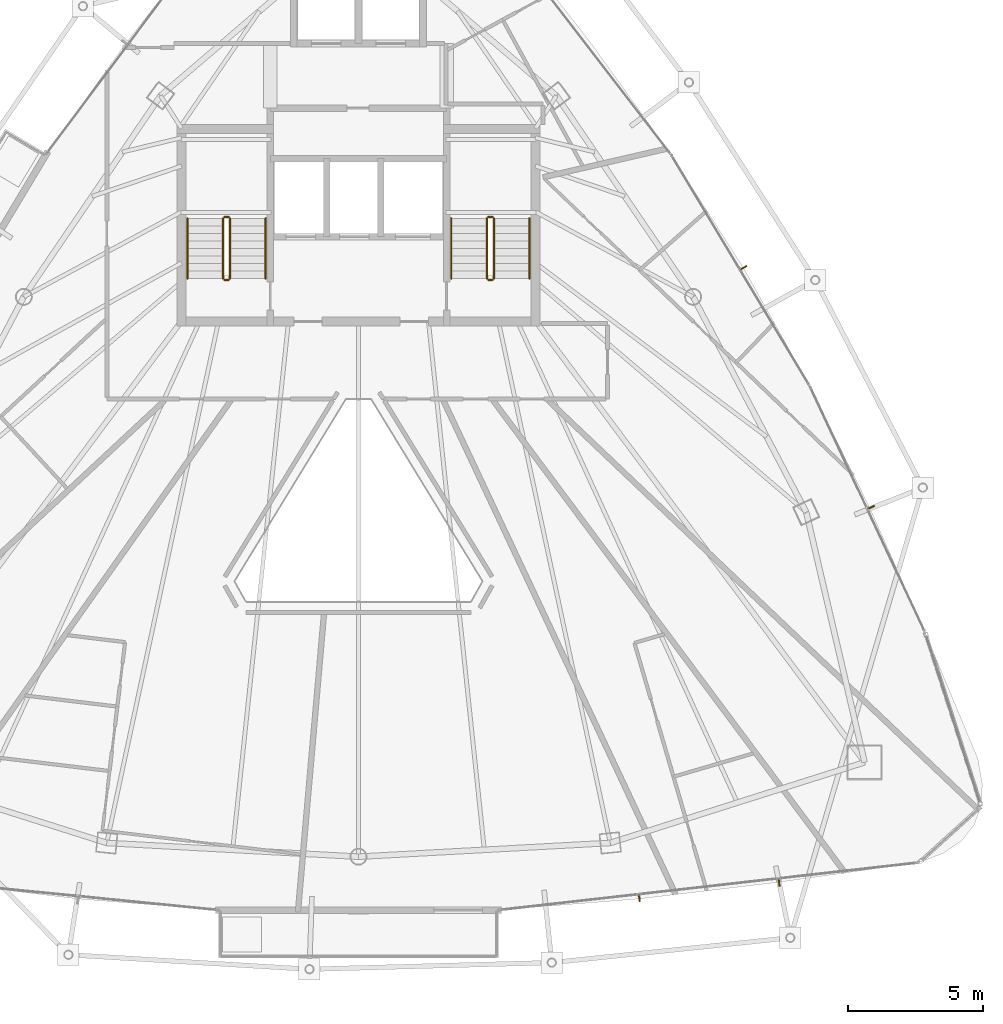
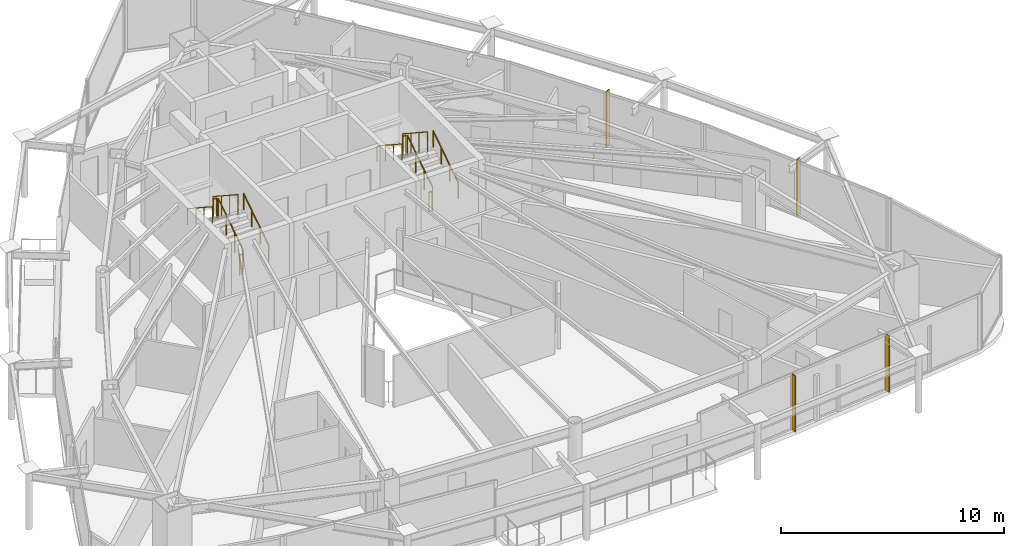
# One storey, part 31 of 32: 12 railings, 4 shading devices.
"""IFC4 building model written with IfcOpenShell, lengths in metres."""

from ifc_helpers import new_model, si_unit, direction, frame, origin, origin_2d, place, context, subcontext, project, spatial, rectangle, circle, extrude, material, layer, layer_set, type_object, element, save


model = new_model("IFC4")

# Units and contexts
model_context = context("Model", 3, precision=1e-05, world=origin(), true_north=direction((0.0, 1.0)))
body_context = subcontext(model_context, "Body", "Model", "MODEL_VIEW")
ifc_project = project(units=[si_unit("LENGTHUNIT", "METRE"), si_unit("AREAUNIT", "SQUARE_METRE"), si_unit("VOLUMEUNIT", "CUBIC_METRE"), si_unit("PLANEANGLEUNIT", "RADIAN"), si_unit("MASSUNIT", "GRAM", prefix="KILO")], contexts=[model_context])

# Site, building, storey
site_placement = place(None, origin())
site = spatial("IfcSite", under=ifc_project, at=site_placement, CompositionType="ELEMENT")
building_placement = place(site_placement, origin())
building = spatial("IfcBuilding", under=site, at=building_placement, Name="Orvanel Arch Residences", CompositionType="ELEMENT")
storey_placement = place(building_placement, frame((0.0, 0.0, 222.800048828125)))
storey = spatial("IfcBuildingStorey", under=building, at=storey_placement, Name="L63", CompositionType="ELEMENT", Elevation=222.800048828125)

# Shading devices
ifc_material_1 = material(Name="Bronze-anodised aluminium AA6063-T6", Category="aluminium")
ifc_layer = layer(ifc_material_1, 0.050048828125)
ifc_layer_set = layer_set([ifc_layer], Name="Bronze-anodised aluminium AA6063-T6")
shading_device_type = type_object("IfcShadingDeviceType", Name="FIN-BRZ-260", PredefinedType="USERDEFINED", material=ifc_layer_set)
for number, where, z_axis, x_axis, name in (
    (1, (43.43505859375, 5.2939453125, 0.0), (0.0, 0.0, 1.0), (0.111468932206, -0.993767919161, 0.0), "L63 Anodised Bronze Mullion FIN 01"),
    (2, (48.626953125, 5.881103515625, 0.0), (0.0, 0.0, 1.0), (0.111468932206, -0.993767919161, 0.0), "L63 Anodised Bronze Mullion FIN 02"),
    (3, (52.048095703125, 19.822021484375, 0.0), (0.0, 0.0, 1.0), (0.905568799011, 0.424199422745, 0.0), "L63 Anodised Bronze Mullion FIN 01"),
    (4, (47.31103515625, 28.72509765625, 0.0), (0.0, 0.0, 1.0), (0.857167300702, 0.51503807491, 0.0), "L63 Anodised Bronze Mullion FIN 01"),
):
    element("IfcShadingDevice", number, at=place(storey_placement, frame(where, z_axis=z_axis, x_axis=x_axis)), inside=storey, type_object=shading_device_type, Name=name, ObjectType="FIN", PredefinedType="USERDEFINED", context=body_context, shape_type="SweptSolid", body=[
        extrude(rectangle(XDim=0.260009765625, YDim=0.050048828125, at=origin_2d()), origin(), (0.0, 0.0, 1.0), 3.06005859375),
    ])

# Railings
ifc_material_2 = material(Name="Structural steel AS/NZS 1163 C350L0 (Grade 350)", Category="steel")
railing_type_1 = type_object("IfcRailingType", Name="RL-STAIR-GUARD", PredefinedType="GUARDRAIL", material=ifc_material_2)
railing_1_placement = place(storey_placement, frame((28.22998046875, 28.320068359375, 0.183349609375)))
element("IfcRailing", 5, at=railing_1_placement, inside=storey, type_object=railing_type_1, Name="L63 ST-1 stair guard 1", PredefinedType="GUARDRAIL", context=body_context, shape_type="SweptSolid", body=[
    extrude(circle(Radius=0.02392578125, at=origin_2d()), frame((0.0, 0.001220703125, 1.076904296875), z_axis=(0.0, 0.836636935527, 0.547757827979), x_axis=(-1.0, 0.0, 0.0)), (0.0, 0.0, 1.0), 2.67431640625),
    extrude(circle(Radius=0.02099609375, at=origin_2d()), origin(), (0.0, 0.0, 1.0), 1.050048828125),
    extrude(circle(Radius=0.02099609375, at=origin_2d()), frame((0.0, 0.74658203125, 0.48876953125)), (0.0, 0.0, 1.0), 1.050048828125),
    extrude(circle(Radius=0.02099609375, at=origin_2d()), frame((0.0, 1.493408203125, 0.977783203125)), (0.0, 0.0, 1.0), 1.050048828125),
    extrude(circle(Radius=0.02099609375, at=origin_2d()), frame((0.0, 2.239990234375, 1.466552734375)), (0.0, 0.0, 1.0), 1.050048828125),
])
railing_2_placement = place(storey_placement, frame((28.179931640625, 30.610107421875, 1.64990234375)))
element("IfcRailing", 6, at=railing_2_placement, inside=storey, type_object=railing_type_1, Name="L63 ST-1 stair guard 2", PredefinedType="GUARDRAIL", context=body_context, shape_type="SweptSolid", body=[
    extrude(circle(Radius=0.02392578125, at=origin_2d()), frame((-0.00146484375, 0.0, 1.076171875), z_axis=(-1.0, 0.0, 0.0), x_axis=(0.0, -1.0, 0.0)), (0.0, 0.0, 1.0), 0.156982421875),
    extrude(circle(Radius=0.02099609375, at=origin_2d()), origin(), (0.0, 0.0, 1.0), 1.050048828125),
    extrude(circle(Radius=0.02099609375, at=origin_2d()), frame((-0.159912109375, 0.0, 0.0)), (0.0, 0.0, 1.0), 1.050048828125),
])
railing_3_placement = place(storey_placement, frame((27.969970703125, 30.56005859375, 1.833251953125)))
element("IfcRailing", 7, at=railing_3_placement, inside=storey, type_object=railing_type_1, Name="L63 ST-1 stair guard 3", PredefinedType="GUARDRAIL", context=body_context, shape_type="SweptSolid", body=[
    extrude(circle(Radius=0.02392578125, at=origin_2d()), frame((0.0, -0.001220703125, 1.076904296875), z_axis=(0.0, -0.836595146698, 0.547821650285), x_axis=(1.0, 0.0, 0.0)), (0.0, 0.0, 1.0), 2.674560546875),
    extrude(circle(Radius=0.02099609375, at=origin_2d()), origin(), (0.0, 0.0, 1.0), 1.050048828125),
    extrude(circle(Radius=0.02099609375, at=origin_2d()), frame((0.0, -0.74658203125, 0.489013671875)), (0.0, 0.0, 1.0), 1.050048828125),
    extrude(circle(Radius=0.02099609375, at=origin_2d()), frame((0.0, -1.493408203125, 0.977783203125)), (0.0, 0.0, 1.0), 1.050048828125),
    extrude(circle(Radius=0.02099609375, at=origin_2d()), frame((0.0, -2.239990234375, 1.466796875)), (0.0, 0.0, 1.0), 1.050048828125),
])
railing_4_placement = place(storey_placement, frame((28.179931640625, 28.27001953125, 0.0)))
element("IfcRailing", 8, at=railing_4_placement, inside=storey, type_object=railing_type_1, Name="L63 ST-1 stair guard 4", PredefinedType="GUARDRAIL", context=body_context, shape_type="SweptSolid", body=[
    extrude(circle(Radius=0.02392578125, at=origin_2d()), frame((-0.00146484375, 0.0, 1.076171875), z_axis=(-1.0, 0.0, 0.0), x_axis=(0.0, -1.0, 0.0)), (0.0, 0.0, 1.0), 0.156982421875),
    extrude(circle(Radius=0.02099609375, at=origin_2d()), origin(), (0.0, 0.0, 1.0), 1.050048828125),
    extrude(circle(Radius=0.02099609375, at=origin_2d()), frame((-0.159912109375, 0.0, 0.0)), (0.0, 0.0, 1.0), 1.050048828125),
])
railing_5_placement = place(storey_placement, frame((38.030029296875, 28.320068359375, 0.183349609375)))
element("IfcRailing", 9, at=railing_5_placement, inside=storey, type_object=railing_type_1, Name="L63 ST-2 stair guard 1", PredefinedType="GUARDRAIL", context=body_context, shape_type="SweptSolid", body=[
    extrude(circle(Radius=0.02392578125, at=origin_2d()), frame((0.0, 0.001220703125, 1.076904296875), z_axis=(0.0, 0.836636935527, 0.547757827979), x_axis=(-1.0, 0.0, 0.0)), (0.0, 0.0, 1.0), 2.67431640625),
    extrude(circle(Radius=0.02099609375, at=origin_2d()), origin(), (0.0, 0.0, 1.0), 1.050048828125),
    extrude(circle(Radius=0.02099609375, at=origin_2d()), frame((0.0, 0.74658203125, 0.48876953125)), (0.0, 0.0, 1.0), 1.050048828125),
    extrude(circle(Radius=0.02099609375, at=origin_2d()), frame((0.0, 1.493408203125, 0.977783203125)), (0.0, 0.0, 1.0), 1.050048828125),
    extrude(circle(Radius=0.02099609375, at=origin_2d()), frame((0.0, 2.239990234375, 1.466552734375)), (0.0, 0.0, 1.0), 1.050048828125),
])
railing_6_placement = place(storey_placement, frame((37.97998046875, 30.610107421875, 1.64990234375)))
element("IfcRailing", 10, at=railing_6_placement, inside=storey, type_object=railing_type_1, Name="L63 ST-2 stair guard 2", PredefinedType="GUARDRAIL", context=body_context, shape_type="SweptSolid", body=[
    extrude(circle(Radius=0.02392578125, at=origin_2d()), frame((-0.00146484375, 0.0, 1.076171875), z_axis=(-1.0, 0.0, 0.0), x_axis=(0.0, -1.0, 0.0)), (0.0, 0.0, 1.0), 0.156982421875),
    extrude(circle(Radius=0.02099609375, at=origin_2d()), origin(), (0.0, 0.0, 1.0), 1.050048828125),
    extrude(circle(Radius=0.02099609375, at=origin_2d()), frame((-0.159912109375, 0.0, 0.0)), (0.0, 0.0, 1.0), 1.050048828125),
])
railing_7_placement = place(storey_placement, frame((37.77001953125, 30.56005859375, 1.833251953125)))
element("IfcRailing", 11, at=railing_7_placement, inside=storey, type_object=railing_type_1, Name="L63 ST-2 stair guard 3", PredefinedType="GUARDRAIL", context=body_context, shape_type="SweptSolid", body=[
    extrude(circle(Radius=0.02392578125, at=origin_2d()), frame((0.0, -0.001220703125, 1.076904296875), z_axis=(0.0, -0.836595146698, 0.547821650285), x_axis=(1.0, 0.0, 0.0)), (0.0, 0.0, 1.0), 2.674560546875),
    extrude(circle(Radius=0.02099609375, at=origin_2d()), origin(), (0.0, 0.0, 1.0), 1.050048828125),
    extrude(circle(Radius=0.02099609375, at=origin_2d()), frame((0.0, -0.74658203125, 0.489013671875)), (0.0, 0.0, 1.0), 1.050048828125),
    extrude(circle(Radius=0.02099609375, at=origin_2d()), frame((0.0, -1.493408203125, 0.977783203125)), (0.0, 0.0, 1.0), 1.050048828125),
    extrude(circle(Radius=0.02099609375, at=origin_2d()), frame((0.0, -2.239990234375, 1.466796875)), (0.0, 0.0, 1.0), 1.050048828125),
])
railing_8_placement = place(storey_placement, frame((37.97998046875, 28.27001953125, 0.0)))
element("IfcRailing", 12, at=railing_8_placement, inside=storey, type_object=railing_type_1, Name="L63 ST-2 stair guard 4", PredefinedType="GUARDRAIL", context=body_context, shape_type="SweptSolid", body=[
    extrude(circle(Radius=0.02392578125, at=origin_2d()), frame((-0.00146484375, 0.0, 1.076171875), z_axis=(-1.0, 0.0, 0.0), x_axis=(0.0, -1.0, 0.0)), (0.0, 0.0, 1.0), 0.156982421875),
    extrude(circle(Radius=0.02099609375, at=origin_2d()), origin(), (0.0, 0.0, 1.0), 1.050048828125),
    extrude(circle(Radius=0.02099609375, at=origin_2d()), frame((-0.159912109375, 0.0, 0.0)), (0.0, 0.0, 1.0), 1.050048828125),
])
railing_type_2 = type_object("IfcRailingType", Name="RL-STAIR-HAND", PredefinedType="HANDRAIL", material=ifc_material_2)
railing_9_placement = place(storey_placement, frame((29.550048828125, 28.320068359375, 0.183349609375)))
element("IfcRailing", 13, at=railing_9_placement, inside=storey, type_object=railing_type_2, Name="L63 ST-1 stair handrail 1", PredefinedType="HANDRAIL", context=body_context, shape_type="SweptSolid", body=[
    extrude(circle(Radius=0.02392578125, at=origin_2d()), frame((0.0, 0.001220703125, 0.876708984375), z_axis=(0.0, 0.836636935527, 0.547757827979), x_axis=(-1.0, 0.0, 0.0)), (0.0, 0.0, 1.0), 2.67431640625),
    extrude(circle(Radius=0.02099609375, at=origin_2d()), origin(), (0.0, 0.0, 1.0), 0.849853515625),
    extrude(circle(Radius=0.02099609375, at=origin_2d()), frame((0.0, 0.74658203125, 0.48876953125)), (0.0, 0.0, 1.0), 0.849853515625),
    extrude(circle(Radius=0.02099609375, at=origin_2d()), frame((0.0, 1.493408203125, 0.977783203125)), (0.0, 0.0, 1.0), 0.849853515625),
    extrude(circle(Radius=0.02099609375, at=origin_2d()), frame((0.0, 2.239990234375, 1.466552734375)), (0.0, 0.0, 1.0), 0.849853515625),
])
railing_10_placement = place(storey_placement, frame((26.64990234375, 30.56005859375, 1.833251953125)))
element("IfcRailing", 14, at=railing_10_placement, inside=storey, type_object=railing_type_2, Name="L63 ST-1 stair handrail 2", PredefinedType="HANDRAIL", context=body_context, shape_type="SweptSolid", body=[
    extrude(circle(Radius=0.02392578125, at=origin_2d()), frame((0.0, -0.001220703125, 0.876708984375), z_axis=(0.0, -0.836595146698, 0.547821650285), x_axis=(1.0, 0.0, 0.0)), (0.0, 0.0, 1.0), 2.674560546875),
    extrude(circle(Radius=0.02099609375, at=origin_2d()), origin(), (0.0, 0.0, 1.0), 0.849853515625),
    extrude(circle(Radius=0.02099609375, at=origin_2d()), frame((0.0, -0.74658203125, 0.489013671875)), (0.0, 0.0, 1.0), 0.849853515625),
    extrude(circle(Radius=0.02099609375, at=origin_2d()), frame((0.0, -1.493408203125, 0.977783203125)), (0.0, 0.0, 1.0), 0.849853515625),
    extrude(circle(Radius=0.02099609375, at=origin_2d()), frame((0.0, -2.239990234375, 1.466796875)), (0.0, 0.0, 1.0), 0.849853515625),
])
railing_11_placement = place(storey_placement, frame((39.35009765625, 28.320068359375, 0.183349609375)))
element("IfcRailing", 15, at=railing_11_placement, inside=storey, type_object=railing_type_2, Name="L63 ST-2 stair handrail 1", PredefinedType="HANDRAIL", context=body_context, shape_type="SweptSolid", body=[
    extrude(circle(Radius=0.02392578125, at=origin_2d()), frame((0.0, 0.001220703125, 0.876708984375), z_axis=(0.0, 0.836636935527, 0.547757827979), x_axis=(-1.0, 0.0, 0.0)), (0.0, 0.0, 1.0), 2.67431640625),
    extrude(circle(Radius=0.02099609375, at=origin_2d()), origin(), (0.0, 0.0, 1.0), 0.849853515625),
    extrude(circle(Radius=0.02099609375, at=origin_2d()), frame((0.0, 0.74658203125, 0.48876953125)), (0.0, 0.0, 1.0), 0.849853515625),
    extrude(circle(Radius=0.02099609375, at=origin_2d()), frame((0.0, 1.493408203125, 0.977783203125)), (0.0, 0.0, 1.0), 0.849853515625),
    extrude(circle(Radius=0.02099609375, at=origin_2d()), frame((0.0, 2.239990234375, 1.466552734375)), (0.0, 0.0, 1.0), 0.849853515625),
])
railing_12_placement = place(storey_placement, frame((36.449951171875, 30.56005859375, 1.833251953125)))
element("IfcRailing", 16, at=railing_12_placement, inside=storey, type_object=railing_type_2, Name="L63 ST-2 stair handrail 2", PredefinedType="HANDRAIL", context=body_context, shape_type="SweptSolid", body=[
    extrude(circle(Radius=0.02392578125, at=origin_2d()), frame((0.0, -0.001220703125, 0.876708984375), z_axis=(0.0, -0.836595146698, 0.547821650285), x_axis=(1.0, 0.0, 0.0)), (0.0, 0.0, 1.0), 2.674560546875),
    extrude(circle(Radius=0.02099609375, at=origin_2d()), origin(), (0.0, 0.0, 1.0), 0.849853515625),
    extrude(circle(Radius=0.02099609375, at=origin_2d()), frame((0.0, -0.74658203125, 0.489013671875)), (0.0, 0.0, 1.0), 0.849853515625),
    extrude(circle(Radius=0.02099609375, at=origin_2d()), frame((0.0, -1.493408203125, 0.977783203125)), (0.0, 0.0, 1.0), 0.849853515625),
    extrude(circle(Radius=0.02099609375, at=origin_2d()), frame((0.0, -2.239990234375, 1.466796875)), (0.0, 0.0, 1.0), 0.849853515625),
])

save(model, "model.ifc")
